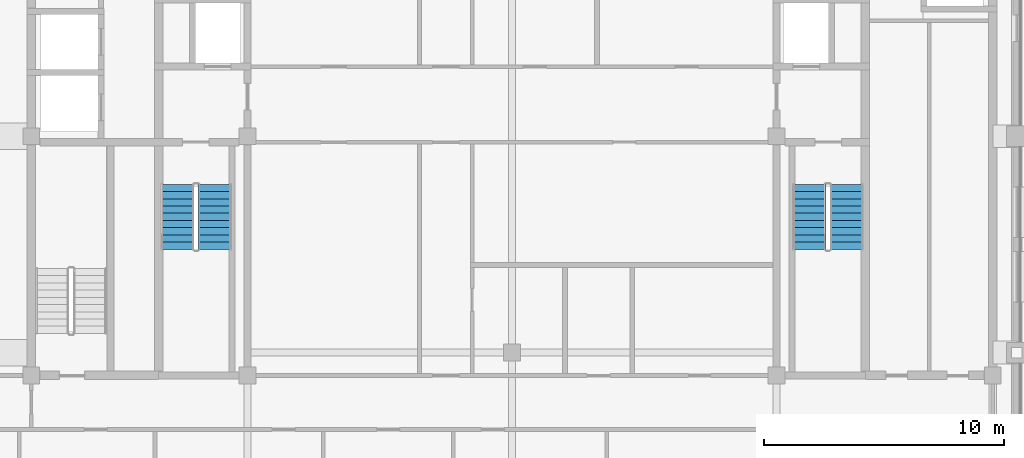
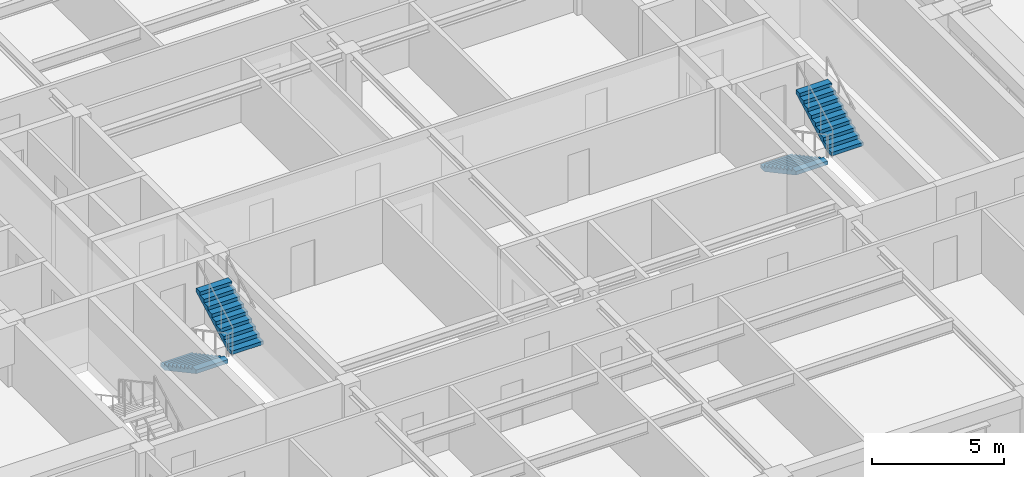
# One storey, part 9 of 14: 4 stair flights, 2 elements without a shape of their own.
"""IFC4 building model written with IfcOpenShell, lengths in metres."""

import ifcopenshell
import ifcopenshell.guid

model = None  # the IFC model being written
_history = None  # IfcOwnerHistory: only IFC2X3 demands one
_inside = {}  # id of a spatial element -> (the spatial element, [elements in it])
_under = {}  # id of a project, library or spatial element -> (it, [spatial elements below it])
_declared = {}  # id of a project -> (the project, [libraries it declares])
_typed = {}  # id of a type object -> (the type object, [elements of that type])
_made_of = {}  # id of a material, layer set ... -> (it, [elements and type objects made of it])


def new_model(schema):
    """Start an empty IFC model of exactly this schema.

    Asked for "IFC4X3", IfcOpenShell would pick the latest addendum, in which some entities
    have other attributes; the version numbers below select the first issue.
    IFC2X3 requires an IfcOwnerHistory on every rooted entity: one is made here for all.
    """
    global model, _history
    if schema == "IFC4X3":
        model = ifcopenshell.file(schema_version=(4, 3, 0, 0))
    else:
        model = ifcopenshell.file(schema=schema)
    _inside.clear()
    _under.clear()
    _declared.clear()
    _typed.clear()
    _made_of.clear()
    _history = None
    if model.schema == "IFC2X3":
        org = make("IfcOrganization", Name="unknown")
        user = make(
            "IfcPersonAndOrganization",
            ThePerson=make("IfcPerson", FamilyName="unknown"),
            TheOrganization=org,
        )
        app = make(
            "IfcApplication",
            ApplicationDeveloper=org,
            Version="unknown",
            ApplicationFullName="unknown",
            ApplicationIdentifier="unknown",
        )
        _history = make(
            "IfcOwnerHistory",
            OwningUser=user,
            OwningApplication=app,
            ChangeAction="ADDED",
            CreationDate=0,
        )
    return model


def make(cls, **values):
    """One entity of the class cls with the attributes given. An attribute that is None is left unset."""
    return model.create_entity(
        cls, **{name: value for name, value in values.items() if value is not None}
    )


def rooted(cls, **values):
    """An entity with a GlobalId (a new one), such as an element, a storey or a relation."""
    return make(cls, GlobalId=ifcopenshell.guid.new(), OwnerHistory=_history, **values)


def si_unit(unit_type, name, prefix=None):
    """IfcSIUnit, for example si_unit("LENGTHUNIT", "METRE", prefix="MILLI")."""
    return make("IfcSIUnit", UnitType=unit_type, Prefix=prefix, Name=name)


def assignment(units):
    """IfcUnitAssignment: the units of a project."""
    return None if units is None else make("IfcUnitAssignment", Units=units)


def point(xyz):
    """IfcCartesianPoint."""
    return None if xyz is None else make("IfcCartesianPoint", Coordinates=xyz)


def direction(xyz):
    """IfcDirection."""
    return None if xyz is None else make("IfcDirection", DirectionRatios=xyz)


def frame(location, z_axis=None, x_axis=None):
    """IfcAxis2Placement3D, a coordinate frame: its origin and axes. An axis left out is left unset."""
    return make(
        "IfcAxis2Placement3D",
        Location=point(location),
        Axis=direction(z_axis),
        RefDirection=direction(x_axis),
    )


def origin():
    """The frame at (0, 0, 0) with its axes left unset."""
    return frame((0.0, 0.0, 0.0))


def place(relative_to, where):
    """IfcLocalPlacement: puts the frame where relative to a parent placement (None: the world)."""
    return make(
        "IfcLocalPlacement", PlacementRelTo=relative_to, RelativePlacement=where
    )


def context(
    kind, dimensions, precision=None, world=None, true_north=None, identifier=None
):
    """IfcGeometricRepresentationContext, for example the 3D "Model" context."""
    return make(
        "IfcGeometricRepresentationContext",
        ContextIdentifier=identifier,
        ContextType=kind,
        CoordinateSpaceDimension=dimensions,
        Precision=precision,
        WorldCoordinateSystem=world,
        TrueNorth=true_north,
    )


def subcontext(parent, identifier, kind, view, scale=None):
    """IfcGeometricRepresentationSubContext, for example "Body" below "Model"."""
    return make(
        "IfcGeometricRepresentationSubContext",
        ContextIdentifier=identifier,
        ContextType=kind,
        ParentContext=parent,
        TargetScale=scale,
        TargetView=view,
    )


def project(units=None, contexts=None):
    """IfcProject with its units and contexts."""
    return rooted(
        "IfcProject",
        Name="project",
        RepresentationContexts=contexts,
        UnitsInContext=assignment(units),
    )


def spatial(cls, under=None, at=None, **own):
    """A site, building, storey or space (cls), placed at a placement, below another one or the project."""
    s = rooted(cls, ObjectPlacement=at, **own)
    if under is not None:
        _under.setdefault(under.id(), (under, []))[1].append(s)
    return s


def polyline(points):
    """IfcPolyline through the points."""
    return make("IfcPolyline", Points=[point(p) for p in points])


def outline(outer, holes=None, kind="AREA"):
    """IfcArbitraryClosedProfileDef: a profile drawn as a closed curve; with holes, ...WithVoids."""
    if holes is None:
        return make("IfcArbitraryClosedProfileDef", ProfileType=kind, OuterCurve=outer)
    return make(
        "IfcArbitraryProfileDefWithVoids",
        ProfileType=kind,
        OuterCurve=outer,
        InnerCurves=holes,
    )


def extrude(swept, where, along, depth):
    """IfcExtrudedAreaSolid: the profile swept, set in the frame where, extruded along a direction by depth."""
    return make(
        "IfcExtrudedAreaSolid",
        SweptArea=swept,
        Position=where,
        ExtrudedDirection=direction(along),
        Depth=depth,
    )


def shape(context_of_items, identifier, shape_type, items):
    """IfcShapeRepresentation: the items that make up one representation, for example the "Body"."""
    return make(
        "IfcShapeRepresentation",
        ContextOfItems=context_of_items,
        RepresentationIdentifier=identifier,
        RepresentationType=shape_type,
        Items=items,
    )


def material(Name=None, Category=None):
    """IfcMaterial."""
    return make("IfcMaterial", Name=Name, Category=Category)


def layer(
    of_material, thickness, ventilated=None, Name=None, Category=None, Priority=None
):
    """IfcMaterialLayer: one layer of a wall or slab, of a material (None: an air gap)."""
    return make(
        "IfcMaterialLayer",
        Material=of_material,
        LayerThickness=thickness,
        IsVentilated=ventilated,
        Name=Name,
        Category=Category,
        Priority=Priority,
    )


def layer_set(layers, Name=None):
    """IfcMaterialLayerSet."""
    return make("IfcMaterialLayerSet", MaterialLayers=layers, LayerSetName=Name)


def made_of(thing, what):
    """Note that an element or type object is made of a material, layer set ...; save() writes the relation."""
    if what is not None:
        _made_of.setdefault(what.id(), (what, []))[1].append(thing)
    return thing


def type_object(cls, material=None, **own):
    """A type object (cls), such as IfcWallType, which elements share."""
    return made_of(rooted(cls, **own), material)


def element(
    cls,
    number,
    at=None,
    inside=None,
    cuts=None,
    type_object=None,
    material=None,
    context=None,
    identifier="Body",
    shape_type=None,
    held_by="IfcProductDefinitionShape",
    body=None,
    shapes=None,
    **own,
):
    """One element of the class cls, such as IfcWall. Its Tag is "e" and its number.

    at: its placement. inside: the storey or other place that contains it. cuts: it is an
    opening in that element (IfcRelVoidsElement). A single representation is given by context,
    identifier, shape_type and body (its items); several are given by shapes. held_by: the class
    of the entity that holds the representations. save() writes the other relations.
    """
    e = rooted(cls, Tag="e%d" % number, ObjectPlacement=at, **own)
    if body is not None:
        shapes = [shape(context, identifier, shape_type, body)]
    if shapes is not None:
        e.Representation = make(held_by, Representations=shapes)
    if inside is not None:
        _inside.setdefault(inside.id(), (inside, []))[1].append(e)
    if cuts is not None:
        rooted(
            "IfcRelVoidsElement", RelatingBuildingElement=cuts, RelatedOpeningElement=e
        )
    if type_object is not None:
        _typed.setdefault(type_object.id(), (type_object, []))[1].append(e)
    return made_of(e, material)


def aggregate(whole, parts):
    """IfcRelAggregates: a whole, such as a stair, and the parts it consists of."""
    return rooted("IfcRelAggregates", RelatingObject=whole, RelatedObjects=parts)


def save(model, path):
    """Write the relations noted so far, then the file.

    IfcRelAggregates (storeys below a building ...), IfcRelContainedInSpatialStructure (elements
    in a storey), IfcRelDefinesByType, IfcRelAssociatesMaterial and IfcRelDeclares: one each for
    every whole, place, type object, material and project.
    """
    for whole, parts in _under.values():
        aggregate(whole, parts)
    for where, things in _inside.values():
        rooted(
            "IfcRelContainedInSpatialStructure",
            RelatedElements=things,
            RelatingStructure=where,
        )
    for kind, things in _typed.values():
        rooted("IfcRelDefinesByType", RelatedObjects=things, RelatingType=kind)
    for what, things in _made_of.values():
        rooted("IfcRelAssociatesMaterial", RelatedObjects=things, RelatingMaterial=what)
    for by, libraries in _declared.values():
        rooted("IfcRelDeclares", RelatingContext=by, RelatedDefinitions=libraries)
    model.write(path)


model = new_model("IFC4")

# Units and contexts
model_context = context("Model", 3, precision=1e-05, world=origin(), true_north=direction((0.0, 1.0)))
body_context = subcontext(model_context, "Body", "Model", "MODEL_VIEW")
ifc_project = project(units=[si_unit("LENGTHUNIT", "METRE"), si_unit("AREAUNIT", "SQUARE_METRE"), si_unit("VOLUMEUNIT", "CUBIC_METRE"), si_unit("PLANEANGLEUNIT", "RADIAN"), si_unit("MASSUNIT", "GRAM", prefix="KILO")], contexts=[model_context])

# Site, building, storey
site_placement = place(None, origin())
site = spatial("IfcSite", under=ifc_project, at=site_placement, CompositionType="ELEMENT")
building_placement = place(site_placement, origin())
building = spatial("IfcBuilding", under=site, at=building_placement, Name="Zulmaris Gate Convention Tower", CompositionType="ELEMENT")
storey_placement = place(building_placement, frame((0.0, 0.0, 254.429931640625)))
storey = spatial("IfcBuildingStorey", under=building, at=storey_placement, Name="L67", CompositionType="ELEMENT", Elevation=254.429931640625)

# Stair, stair flights
ifc_material = material(Name="Concrete C45/55", Category="concrete")
stair_type = type_object("IfcStairType", Name="ST-CORE-DOGLEG", PredefinedType="HALF_TURN_STAIR", material=ifc_material)
stair_1_placement = place(storey_placement, origin())
stair_1 = element("IfcStair", 1, at=stair_1_placement, inside=storey, type_object=stair_type, Name="L67 Core Exit Stair ST-1", PredefinedType="HALF_TURN_STAIR")
ifc_layer = layer(ifc_material, 0.14990234375, Name="Concrete C45/55")
ifc_layer_set = layer_set([ifc_layer], Name="Concrete C45/55")
stair_flight_type = type_object("IfcStairFlightType", Name="STF-RC150", PredefinedType="STRAIGHT", material=ifc_layer_set)
stair_flight_1_placement = place(storey_placement, frame((-13.919921875, -2.0, 0.0), z_axis=(0.0, 0.0, 1.0), x_axis=(0.0, -1.0, 0.0)))
stair_flight_1 = element("IfcStairFlight", 2, at=stair_flight_1_placement, type_object=stair_flight_type, Name="ST-1 flight 1", NumberOfRisers=10, NumberOfTreads=9, PredefinedType="STRAIGHT", RiserHeight=0.1615, TreadLength=0.3, context=body_context, shape_type="SweptSolid", body=[
    extrude(outline(polyline([(0.0, 0.0), (0.0, 0.16162109375), (0.300048828125, 0.16162109375), (0.300048828125, 0.322998046875), (0.60009765625, 0.322998046875), (0.60009765625, 0.484619140625), (0.89990234375, 0.484619140625), (0.89990234375, 0.64599609375), (1.199951171875, 0.64599609375), (1.199951171875, 0.8076171875), (1.5, 0.8076171875), (1.5, 0.968994140625), (1.800048828125, 0.968994140625), (1.800048828125, 1.130615234375), (2.10009765625, 1.130615234375), (2.10009765625, 1.2919921875), (2.39990234375, 1.2919921875), (2.39990234375, 1.45361328125), (2.699951171875, 1.45361328125), (2.699951171875, 1.614990234375), (2.699951171875, 1.283203125), (0.316162109375, 0.0), (0.0, 0.0)])), frame((0.0, 0.699951171875, 0.0), z_axis=(0.0, -1.0, 0.0), x_axis=(1.0, 0.0, 0.0)), (0.0, 0.0, 1.0), 1.39990234375),
])
stair_flight_2_placement = place(storey_placement, frame((-12.360107421875, -4.699951171875, 1.614990234375), z_axis=(0.0, 0.0, 1.0), x_axis=(0.0, 1.0, 0.0)))
stair_flight_2 = element("IfcStairFlight", 3, at=stair_flight_2_placement, type_object=stair_flight_type, Name="ST-1 flight 2", NumberOfRisers=10, NumberOfTreads=9, PredefinedType="STRAIGHT", RiserHeight=0.1615, TreadLength=0.3, context=body_context, shape_type="SweptSolid", body=[
    extrude(outline(polyline([(0.0, 0.0), (0.0, 0.16162109375), (0.300048828125, 0.16162109375), (0.300048828125, 0.322998046875), (0.60009765625, 0.322998046875), (0.60009765625, 0.484619140625), (0.89990234375, 0.484619140625), (0.89990234375, 0.64599609375), (1.199951171875, 0.64599609375), (1.199951171875, 0.8076171875), (1.5, 0.8076171875), (1.5, 0.968994140625), (1.800048828125, 0.968994140625), (1.800048828125, 1.130615234375), (2.10009765625, 1.130615234375), (2.10009765625, 1.2919921875), (2.39990234375, 1.2919921875), (2.39990234375, 1.45361328125), (2.699951171875, 1.45361328125), (2.699951171875, 1.614990234375), (2.699951171875, 1.283203125), (0.316162109375, 0.0), (0.0, 0.0)])), frame((0.0, 0.699951171875, 0.0), z_axis=(0.0, -1.0, 0.0), x_axis=(1.0, 0.0, 0.0)), (0.0, 0.0, 1.0), 1.39990234375),
])
aggregate(stair_1, [stair_flight_1, stair_flight_2])

stair_2_placement = place(storey_placement, origin())
stair_2 = element("IfcStair", 4, at=stair_2_placement, inside=storey, type_object=stair_type, Name="L67 Core Exit Stair ST-2", PredefinedType="HALF_TURN_STAIR")
stair_flight_3_placement = place(storey_placement, frame((12.360107421875, -2.0, 0.0), z_axis=(0.0, 0.0, 1.0), x_axis=(0.0, -1.0, 0.0)))
stair_flight_3 = element("IfcStairFlight", 5, at=stair_flight_3_placement, type_object=stair_flight_type, Name="ST-2 flight 1", NumberOfRisers=10, NumberOfTreads=9, PredefinedType="STRAIGHT", RiserHeight=0.1615, TreadLength=0.3, context=body_context, shape_type="SweptSolid", body=[
    extrude(outline(polyline([(0.0, 0.0), (0.0, 0.16162109375), (0.300048828125, 0.16162109375), (0.300048828125, 0.322998046875), (0.60009765625, 0.322998046875), (0.60009765625, 0.484619140625), (0.89990234375, 0.484619140625), (0.89990234375, 0.64599609375), (1.199951171875, 0.64599609375), (1.199951171875, 0.8076171875), (1.5, 0.8076171875), (1.5, 0.968994140625), (1.800048828125, 0.968994140625), (1.800048828125, 1.130615234375), (2.10009765625, 1.130615234375), (2.10009765625, 1.2919921875), (2.39990234375, 1.2919921875), (2.39990234375, 1.45361328125), (2.699951171875, 1.45361328125), (2.699951171875, 1.614990234375), (2.699951171875, 1.283203125), (0.316162109375, 0.0), (0.0, 0.0)])), frame((0.0, 0.699951171875, 0.0), z_axis=(0.0, -1.0, 0.0), x_axis=(1.0, 0.0, 0.0)), (0.0, 0.0, 1.0), 1.39990234375),
])
stair_flight_4_placement = place(storey_placement, frame((13.919921875, -4.699951171875, 1.614990234375), z_axis=(0.0, 0.0, 1.0), x_axis=(0.0, 1.0, 0.0)))
stair_flight_4 = element("IfcStairFlight", 6, at=stair_flight_4_placement, type_object=stair_flight_type, Name="ST-2 flight 2", NumberOfRisers=10, NumberOfTreads=9, PredefinedType="STRAIGHT", RiserHeight=0.1615, TreadLength=0.3, context=body_context, shape_type="SweptSolid", body=[
    extrude(outline(polyline([(0.0, 0.0), (0.0, 0.16162109375), (0.300048828125, 0.16162109375), (0.300048828125, 0.322998046875), (0.60009765625, 0.322998046875), (0.60009765625, 0.484619140625), (0.89990234375, 0.484619140625), (0.89990234375, 0.64599609375), (1.199951171875, 0.64599609375), (1.199951171875, 0.8076171875), (1.5, 0.8076171875), (1.5, 0.968994140625), (1.800048828125, 0.968994140625), (1.800048828125, 1.130615234375), (2.10009765625, 1.130615234375), (2.10009765625, 1.2919921875), (2.39990234375, 1.2919921875), (2.39990234375, 1.45361328125), (2.699951171875, 1.45361328125), (2.699951171875, 1.614990234375), (2.699951171875, 1.283203125), (0.316162109375, 0.0), (0.0, 0.0)])), frame((0.0, 0.699951171875, 0.0), z_axis=(0.0, -1.0, 0.0), x_axis=(1.0, 0.0, 0.0)), (0.0, 0.0, 1.0), 1.39990234375),
])
aggregate(stair_2, [stair_flight_3, stair_flight_4])

save(model, "model.ifc")
